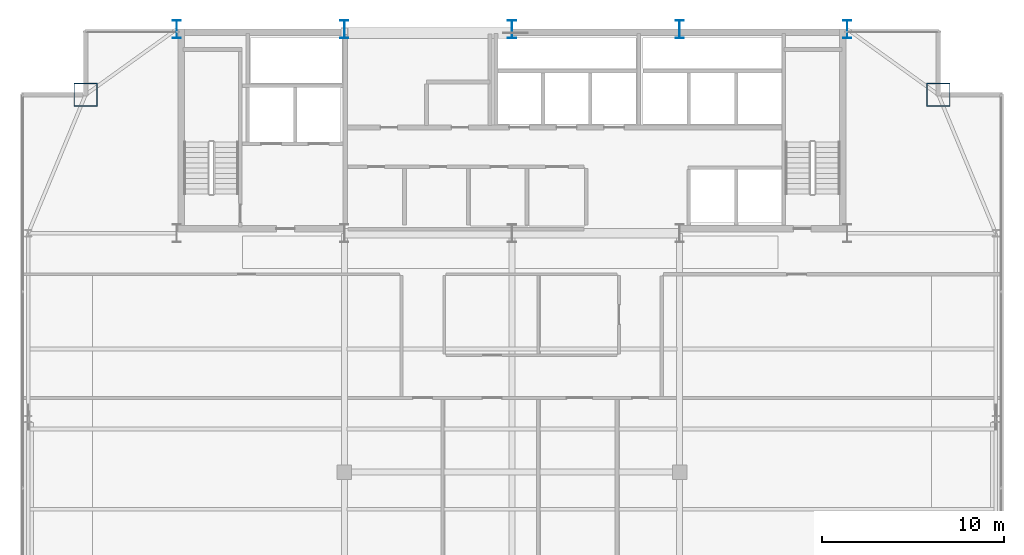
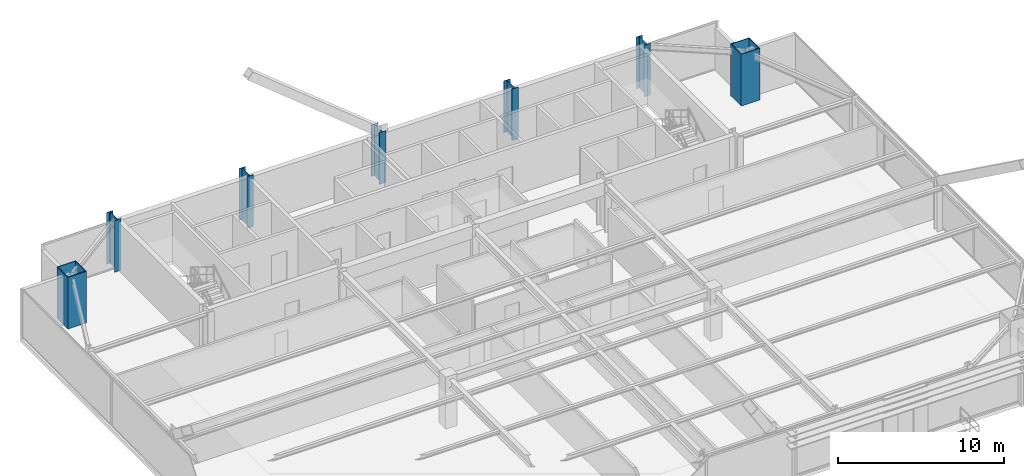
# One storey, part 3 of 32: 7 columns.
"""IFC4 building model written with IfcOpenShell, lengths in metres."""

from ifc_helpers import new_model, si_unit, direction, frame, origin, origin_2d, place, context, subcontext, project, spatial, hollow_rectangle, i_section, extrude, source, transform, mapped, material, material_profile, profile_set, type_object, type_shapes, element, save


model = new_model("IFC4")

# Units and contexts
model_context = context("Model", 3, precision=1e-05, world=origin(), true_north=direction((0.0, 1.0)))
body_context = subcontext(model_context, "Body", "Model", "MODEL_VIEW")
ifc_project = project(units=[si_unit("LENGTHUNIT", "METRE"), si_unit("AREAUNIT", "SQUARE_METRE"), si_unit("VOLUMEUNIT", "CUBIC_METRE"), si_unit("PLANEANGLEUNIT", "RADIAN"), si_unit("MASSUNIT", "GRAM", prefix="KILO")], contexts=[model_context])

# Site, building, storey
site_placement = place(None, origin())
site = spatial("IfcSite", under=ifc_project, at=site_placement, CompositionType="ELEMENT")
building_placement = place(site_placement, origin())
building = spatial("IfcBuilding", under=site, at=building_placement, Name="Varnel Quay Broadcast Tower", CompositionType="ELEMENT")
storey_placement = place(building_placement, frame((0.0, 0.0, 164.800048828125)))
storey = spatial("IfcBuildingStorey", under=building, at=storey_placement, Name="L40", CompositionType="ELEMENT", Elevation=164.800048828125)

# Columns
ifc_material = material(Name="Structural Steel CSA G40.21 350WT", Category="steel")
ifc_material_profile_1 = material_profile(ifc_material, i_section(OverallWidth=0.449951171875, OverallDepth=1.0, WebThickness=0.01611328125, FlangeThickness=0.030029296875, FilletRadius=0.01611328125, at=origin_2d()), Name="WWF1000X362")
ifc_profile_set_1 = profile_set([ifc_material_profile_1], Name="Structural Steel CSA G40.21 350WT")
column_type_1 = type_object("IfcColumnType", Name="Col_WWF1000X362", PredefinedType="COLUMN", material=ifc_profile_set_1)
shared_shape_1 = source(origin(), body_context, "Body", "SweptSolid", [
    extrude(i_section(OverallWidth=0.449951171875, OverallDepth=1.0, WebThickness=0.01611328125, FlangeThickness=0.030029296875, FilletRadius=0.01611328125, at=origin_2d()), origin(), (0.0, 0.0, 1.0), 3.800048828125),
])
type_shapes(column_type_1, [shared_shape_1])
for number, where, z_axis, x_axis, name in (
    (1, (15.60009765625, 46.800048828125, 0.0), (0.0, 0.0, 1.0), (1.0, 0.0, 0.0), "L40 Column CC-N1"),
    (2, (24.800048828125, 46.800048828125, 0.0), (0.0, 0.0, 1.0), (1.0, 0.0, 0.0), "L40 Column CC-N2"),
    (3, (34.0, 46.800048828125, 0.0), (0.0, 0.0, 1.0), (1.0, 0.0, 0.0), "L40 Column CC-N3"),
    (4, (43.199951171875, 46.800048828125, 0.0), (0.0, 0.0, 1.0), (1.0, 0.0, 0.0), "L40 Column CC-N4"),
    (5, (52.39990234375, 46.800048828125, 0.0), (0.0, 0.0, 1.0), (1.0, 0.0, 0.0), "L40 Column CC-N5"),
):
    element("IfcColumn", number, at=place(storey_placement, frame(where, z_axis=z_axis, x_axis=x_axis)), inside=storey, type_object=column_type_1, Name=name, PredefinedType="COLUMN", context=body_context, shape_type="MappedRepresentation", body=[
        mapped(shared_shape_1, transform((0.0, 0.0, 0.0), x_axis=(1.0, 0.0, 0.0), y_axis=(0.0, 1.0, 0.0), z_axis=(0.0, 0.0, 1.0), scale=1.0)),
    ])
ifc_material_profile_2 = material_profile(ifc_material, hollow_rectangle(XDim=1.300048828125, YDim=1.300048828125, WallThickness=0.050048828125, at=origin_2d()), Name="BOX1300X1300X50")
ifc_profile_set_2 = profile_set([ifc_material_profile_2], Name="Structural Steel CSA G40.21 350WT")
column_type_2 = type_object("IfcColumnType", Name="Col_BOX1300X1300X50", PredefinedType="COLUMN", material=ifc_profile_set_2)
shared_shape_2 = source(origin(), body_context, "Body", "SweptSolid", [
    extrude(hollow_rectangle(XDim=1.300048828125, YDim=1.300048828125, WallThickness=0.050048828125, at=origin_2d()), origin(), (0.0, 0.0, 1.0), 3.800048828125),
])
type_shapes(column_type_2, [shared_shape_2])
for number, where, z_axis, x_axis, name in (
    (6, (57.39990234375, 43.199951171875, 0.0), (0.0, 0.0, 1.0), (1.0, 0.0, 0.0), "L40 Column MC-NE"),
    (7, (10.60009765625, 43.199951171875, 0.0), (0.0, 0.0, 1.0), (1.0, 0.0, 0.0), "L40 Column MC-NW"),
):
    element("IfcColumn", number, at=place(storey_placement, frame(where, z_axis=z_axis, x_axis=x_axis)), inside=storey, type_object=column_type_2, Name=name, PredefinedType="COLUMN", context=body_context, shape_type="MappedRepresentation", body=[
        mapped(shared_shape_2, transform((0.0, 0.0, 0.0), x_axis=(1.0, 0.0, 0.0), y_axis=(0.0, 1.0, 0.0), z_axis=(0.0, 0.0, 1.0), scale=1.0)),
    ])

save(model, "model.ifc")
